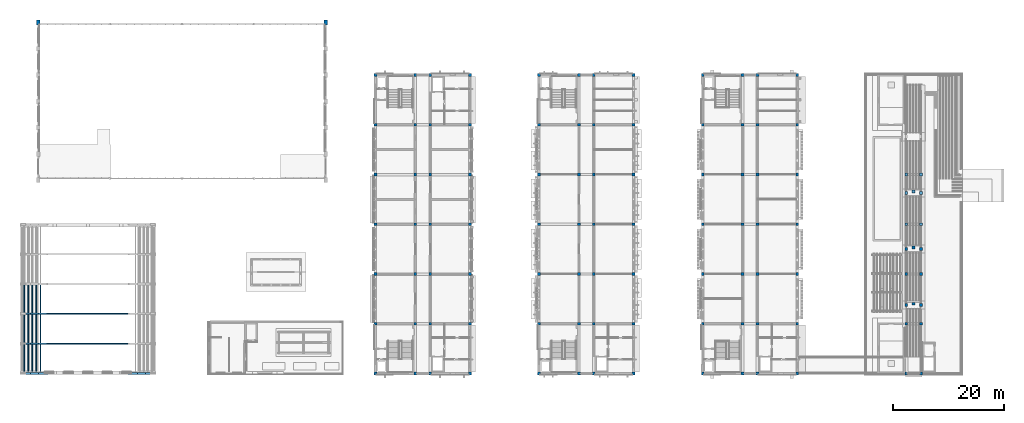
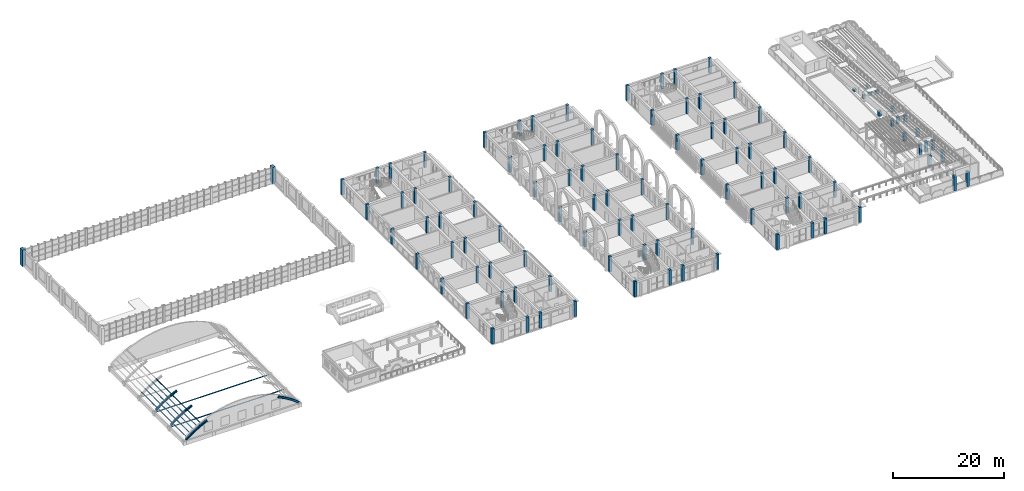
# One storey, part 4 of 70: 105 columns, 29 members.
"""IFC4 building model written with IfcOpenShell, lengths in metres."""

from ifc_helpers import new_model, si_unit, direction, frame, origin, origin_2d, place, context, subcontext, project, spatial, rectangle, hollow_rectangle, hollow_circle, i_section, extrude, material, material_profile, profile_set, type_object, element, save


model = new_model("IFC4")

# Units and contexts
model_context = context("Model", 3, precision=1e-05, world=origin(), true_north=direction((0.0, 1.0)))
body_context = subcontext(model_context, "Body", "Model", "MODEL_VIEW")
ifc_project = project(units=[si_unit("LENGTHUNIT", "METRE"), si_unit("AREAUNIT", "SQUARE_METRE"), si_unit("VOLUMEUNIT", "CUBIC_METRE"), si_unit("PLANEANGLEUNIT", "RADIAN"), si_unit("MASSUNIT", "GRAM", prefix="KILO")], contexts=[model_context])

# Site, building, storey
site_placement = place(None, origin())
site = spatial("IfcSite", under=ifc_project, at=site_placement, CompositionType="ELEMENT")
building_placement = place(site_placement, origin())
building = spatial("IfcBuilding", under=site, at=building_placement, Name="Elbe Cascade School", CompositionType="ELEMENT")
storey_placement = place(building_placement, frame((0.0, 0.0, 8.10009765625)))
storey = spatial("IfcBuildingStorey", under=building, at=storey_placement, Name="L02", CompositionType="ELEMENT", Elevation=8.10009765625)

# Columns
ifc_material_1 = material(Name="Concrete C30/37", Category="concrete")
ifc_material_profile_1 = material_profile(ifc_material_1, rectangle(XDim=0.60009765625, YDim=0.89990234375, at=origin_2d()), Name="RC 600x900")
ifc_profile_set_1 = profile_set([ifc_material_profile_1], Name="Concrete C30/37")
column_type_1 = type_object("IfcColumnType", Name="Hall pilaster RC 600x900", PredefinedType="COLUMN", material=ifc_profile_set_1)
for number, where, z_axis, x_axis, name in (
    (1, (8.0, 69.5, 0.0), (0.0, 0.0, 1.0), (1.0, 0.0, 0.0), "Pilaster W7"),
    (2, (60.0, 69.5, 0.0), (0.0, 0.0, 1.0), (1.0, 0.0, 0.0), "Pilaster E7"),
):
    element("IfcColumn", number, at=place(storey_placement, frame(where, z_axis=z_axis, x_axis=x_axis)), inside=storey, type_object=column_type_1, Name=name, PredefinedType="COLUMN", context=body_context, shape_type="SweptSolid", body=[
        extrude(rectangle(XDim=0.60009765625, YDim=0.89990234375, at=origin_2d()), origin(), (0.0, 0.0, 1.0), 3.599853515625),
    ])
ifc_material_2 = material(Name="Concrete C30/37", Category="concrete")
ifc_material_profile_2 = material_profile(ifc_material_2, rectangle(XDim=0.5, YDim=0.5, at=origin_2d()), Name="RC 500x500")
ifc_profile_set_2 = profile_set([ifc_material_profile_2], Name="Concrete C30/37")
column_type_2 = type_object("IfcColumnType", Name="RC 500x500 column", PredefinedType="COLUMN", material=ifc_profile_set_2)
for number, where, z_axis, x_axis, name in (
    (3, (69.0, 6.0, 0.0), (0.0, 0.0, 1.0), (1.0, 0.0, 0.0), "RC 500x500 column C1"),
    (4, (69.0, 15.0, 0.0), (0.0, 0.0, 1.0), (1.0, 0.0, 0.0), "RC 500x500 column C1"),
    (5, (69.0, 24.0, 0.0), (0.0, 0.0, 1.0), (1.0, 0.0, 0.0), "RC 500x500 column C1"),
    (6, (69.0, 33.0, 0.0), (0.0, 0.0, 1.0), (1.0, 0.0, 0.0), "RC 500x500 column C1"),
    (7, (69.0, 42.0, 0.0), (0.0, 0.0, 1.0), (1.0, 0.0, 0.0), "RC 500x500 column C1"),
    (8, (69.0, 51.0, 0.0), (0.0, 0.0, 1.0), (1.0, 0.0, 0.0), "RC 500x500 column C1"),
    (9, (69.0, 60.0, 0.0), (0.0, 0.0, 1.0), (1.0, 0.0, 0.0), "RC 500x500 column C1"),
    (10, (76.199951171875, 6.0, 0.0), (0.0, 0.0, 1.0), (1.0, 0.0, 0.0), "RC 500x500 column C1"),
    (11, (76.199951171875, 15.0, 0.0), (0.0, 0.0, 1.0), (1.0, 0.0, 0.0), "RC 500x500 column C1"),
    (12, (76.199951171875, 24.0, 0.0), (0.0, 0.0, 1.0), (1.0, 0.0, 0.0), "RC 500x500 column C1"),
    (13, (76.199951171875, 33.0, 0.0), (0.0, 0.0, 1.0), (1.0, 0.0, 0.0), "RC 500x500 column C1"),
    (14, (76.199951171875, 42.0, 0.0), (0.0, 0.0, 1.0), (1.0, 0.0, 0.0), "RC 500x500 column C1"),
    (15, (76.199951171875, 51.0, 0.0), (0.0, 0.0, 1.0), (1.0, 0.0, 0.0), "RC 500x500 column C1"),
    (16, (76.199951171875, 60.0, 0.0), (0.0, 0.0, 1.0), (1.0, 0.0, 0.0), "RC 500x500 column C1"),
    (17, (78.89990234375, 6.0, 0.0), (0.0, 0.0, 1.0), (1.0, 0.0, 0.0), "RC 500x500 column C1"),
    (18, (78.89990234375, 15.0, 0.0), (0.0, 0.0, 1.0), (1.0, 0.0, 0.0), "RC 500x500 column C1"),
    (19, (78.89990234375, 24.0, 0.0), (0.0, 0.0, 1.0), (1.0, 0.0, 0.0), "RC 500x500 column C1"),
    (20, (78.89990234375, 33.0, 0.0), (0.0, 0.0, 1.0), (1.0, 0.0, 0.0), "RC 500x500 column C1"),
    (21, (78.89990234375, 42.0, 0.0), (0.0, 0.0, 1.0), (1.0, 0.0, 0.0), "RC 500x500 column C1"),
    (22, (78.89990234375, 51.0, 0.0), (0.0, 0.0, 1.0), (1.0, 0.0, 0.0), "RC 500x500 column C1"),
    (23, (78.89990234375, 60.0, 0.0), (0.0, 0.0, 1.0), (1.0, 0.0, 0.0), "RC 500x500 column C1"),
    (24, (86.10009765625, 6.0, 0.0), (0.0, 0.0, 1.0), (1.0, 0.0, 0.0), "RC 500x500 column C1"),
    (25, (86.10009765625, 15.0, 0.0), (0.0, 0.0, 1.0), (1.0, 0.0, 0.0), "RC 500x500 column C1"),
    (26, (86.10009765625, 24.0, 0.0), (0.0, 0.0, 1.0), (1.0, 0.0, 0.0), "RC 500x500 column C1"),
    (27, (86.10009765625, 33.0, 0.0), (0.0, 0.0, 1.0), (1.0, 0.0, 0.0), "RC 500x500 column C1"),
    (28, (86.10009765625, 42.0, 0.0), (0.0, 0.0, 1.0), (1.0, 0.0, 0.0), "RC 500x500 column C1"),
    (29, (86.10009765625, 51.0, 0.0), (0.0, 0.0, 1.0), (1.0, 0.0, 0.0), "RC 500x500 column C1"),
    (30, (86.10009765625, 60.0, 0.0), (0.0, 0.0, 1.0), (1.0, 0.0, 0.0), "RC 500x500 column C1"),
    (31, (98.60009765625, 6.0, 0.0), (0.0, 0.0, 1.0), (1.0, 0.0, 0.0), "RC 500x500 column C1"),
    (32, (98.60009765625, 15.0, 0.0), (0.0, 0.0, 1.0), (1.0, 0.0, 0.0), "RC 500x500 column C1"),
    (33, (98.60009765625, 24.0, 0.0), (0.0, 0.0, 1.0), (1.0, 0.0, 0.0), "RC 500x500 column C1"),
    (34, (98.60009765625, 33.0, 0.0), (0.0, 0.0, 1.0), (1.0, 0.0, 0.0), "RC 500x500 column C1"),
    (35, (98.60009765625, 42.0, 0.0), (0.0, 0.0, 1.0), (1.0, 0.0, 0.0), "RC 500x500 column C1"),
    (36, (98.60009765625, 51.0, 0.0), (0.0, 0.0, 1.0), (1.0, 0.0, 0.0), "RC 500x500 column C1"),
    (37, (98.60009765625, 60.0, 0.0), (0.0, 0.0, 1.0), (1.0, 0.0, 0.0), "RC 500x500 column C1"),
    (38, (105.800048828125, 6.0, 0.0), (0.0, 0.0, 1.0), (1.0, 0.0, 0.0), "RC 500x500 column C1"),
    (39, (105.800048828125, 15.0, 0.0), (0.0, 0.0, 1.0), (1.0, 0.0, 0.0), "RC 500x500 column C1"),
    (40, (105.800048828125, 24.0, 0.0), (0.0, 0.0, 1.0), (1.0, 0.0, 0.0), "RC 500x500 column C1"),
    (41, (105.800048828125, 33.0, 0.0), (0.0, 0.0, 1.0), (1.0, 0.0, 0.0), "RC 500x500 column C1"),
    (42, (105.800048828125, 42.0, 0.0), (0.0, 0.0, 1.0), (1.0, 0.0, 0.0), "RC 500x500 column C1"),
    (43, (105.800048828125, 51.0, 0.0), (0.0, 0.0, 1.0), (1.0, 0.0, 0.0), "RC 500x500 column C1"),
    (44, (105.800048828125, 60.0, 0.0), (0.0, 0.0, 1.0), (1.0, 0.0, 0.0), "RC 500x500 column C1"),
    (45, (108.5, 6.0, 0.0), (0.0, 0.0, 1.0), (1.0, 0.0, 0.0), "RC 500x500 column C1"),
    (46, (108.5, 15.0, 0.0), (0.0, 0.0, 1.0), (1.0, 0.0, 0.0), "RC 500x500 column C1"),
    (47, (108.5, 24.0, 0.0), (0.0, 0.0, 1.0), (1.0, 0.0, 0.0), "RC 500x500 column C1"),
    (48, (108.5, 33.0, 0.0), (0.0, 0.0, 1.0), (1.0, 0.0, 0.0), "RC 500x500 column C1"),
    (49, (108.5, 42.0, 0.0), (0.0, 0.0, 1.0), (1.0, 0.0, 0.0), "RC 500x500 column C1"),
    (50, (108.5, 51.0, 0.0), (0.0, 0.0, 1.0), (1.0, 0.0, 0.0), "RC 500x500 column C1"),
    (51, (108.5, 60.0, 0.0), (0.0, 0.0, 1.0), (1.0, 0.0, 0.0), "RC 500x500 column C1"),
    (52, (115.699951171875, 6.0, 0.0), (0.0, 0.0, 1.0), (1.0, 0.0, 0.0), "RC 500x500 column C1"),
    (53, (115.699951171875, 15.0, 0.0), (0.0, 0.0, 1.0), (1.0, 0.0, 0.0), "RC 500x500 column C1"),
    (54, (115.699951171875, 24.0, 0.0), (0.0, 0.0, 1.0), (1.0, 0.0, 0.0), "RC 500x500 column C1"),
    (55, (115.699951171875, 33.0, 0.0), (0.0, 0.0, 1.0), (1.0, 0.0, 0.0), "RC 500x500 column C1"),
    (56, (115.699951171875, 42.0, 0.0), (0.0, 0.0, 1.0), (1.0, 0.0, 0.0), "RC 500x500 column C1"),
    (57, (115.699951171875, 51.0, 0.0), (0.0, 0.0, 1.0), (1.0, 0.0, 0.0), "RC 500x500 column C1"),
    (58, (115.699951171875, 60.0, 0.0), (0.0, 0.0, 1.0), (1.0, 0.0, 0.0), "RC 500x500 column C1"),
):
    element("IfcColumn", number, at=place(storey_placement, frame(where, z_axis=z_axis, x_axis=x_axis)), inside=storey, type_object=column_type_2, Name=name, PredefinedType="COLUMN", context=body_context, shape_type="SweptSolid", body=[
        extrude(rectangle(XDim=0.5, YDim=0.5, at=origin_2d()), origin(), (0.0, 0.0, 1.0), 3.349853515625),
    ])
for number, where, z_axis, x_axis, name in (
    (59, (128.199951171875, 6.0, 0.0), (0.0, 0.0, 1.0), (1.0, 0.0, 0.0), "RC 500x500 column C1"),
    (60, (128.199951171875, 15.0, 0.0), (0.0, 0.0, 1.0), (1.0, 0.0, 0.0), "RC 500x500 column C1"),
    (61, (128.199951171875, 24.0, 0.0), (0.0, 0.0, 1.0), (1.0, 0.0, 0.0), "RC 500x500 column C1"),
    (62, (128.199951171875, 33.0, 0.0), (0.0, 0.0, 1.0), (1.0, 0.0, 0.0), "RC 500x500 column C1"),
    (63, (128.199951171875, 42.0, 0.0), (0.0, 0.0, 1.0), (1.0, 0.0, 0.0), "RC 500x500 column C1"),
    (64, (128.199951171875, 51.0, 0.0), (0.0, 0.0, 1.0), (1.0, 0.0, 0.0), "RC 500x500 column C1"),
    (65, (128.199951171875, 60.0, 0.0), (0.0, 0.0, 1.0), (1.0, 0.0, 0.0), "RC 500x500 column C1"),
    (66, (135.39990234375, 6.0, 0.0), (0.0, 0.0, 1.0), (1.0, 0.0, 0.0), "RC 500x500 column C1"),
    (67, (135.39990234375, 15.0, 0.0), (0.0, 0.0, 1.0), (1.0, 0.0, 0.0), "RC 500x500 column C1"),
    (68, (135.39990234375, 24.0, 0.0), (0.0, 0.0, 1.0), (1.0, 0.0, 0.0), "RC 500x500 column C1"),
    (69, (135.39990234375, 33.0, 0.0), (0.0, 0.0, 1.0), (1.0, 0.0, 0.0), "RC 500x500 column C1"),
    (70, (135.39990234375, 42.0, 0.0), (0.0, 0.0, 1.0), (1.0, 0.0, 0.0), "RC 500x500 column C1"),
    (71, (135.39990234375, 51.0, 0.0), (0.0, 0.0, 1.0), (1.0, 0.0, 0.0), "RC 500x500 column C1"),
    (72, (135.39990234375, 60.0, 0.0), (0.0, 0.0, 1.0), (1.0, 0.0, 0.0), "RC 500x500 column C1"),
    (73, (138.10009765625, 6.0, 0.0), (0.0, 0.0, 1.0), (1.0, 0.0, 0.0), "RC 500x500 column C1"),
    (74, (138.10009765625, 15.0, 0.0), (0.0, 0.0, 1.0), (1.0, 0.0, 0.0), "RC 500x500 column C1"),
    (75, (138.10009765625, 24.0, 0.0), (0.0, 0.0, 1.0), (1.0, 0.0, 0.0), "RC 500x500 column C1"),
    (76, (138.10009765625, 33.0, 0.0), (0.0, 0.0, 1.0), (1.0, 0.0, 0.0), "RC 500x500 column C1"),
    (77, (138.10009765625, 42.0, 0.0), (0.0, 0.0, 1.0), (1.0, 0.0, 0.0), "RC 500x500 column C1"),
    (78, (138.10009765625, 51.0, 0.0), (0.0, 0.0, 1.0), (1.0, 0.0, 0.0), "RC 500x500 column C1"),
    (79, (138.10009765625, 60.0, 0.0), (0.0, 0.0, 1.0), (1.0, 0.0, 0.0), "RC 500x500 column C1"),
    (80, (145.300048828125, 6.0, 0.0), (0.0, 0.0, 1.0), (1.0, 0.0, 0.0), "RC 500x500 column C1"),
    (81, (145.300048828125, 15.0, 0.0), (0.0, 0.0, 1.0), (1.0, 0.0, 0.0), "RC 500x500 column C1"),
    (82, (145.300048828125, 24.0, 0.0), (0.0, 0.0, 1.0), (1.0, 0.0, 0.0), "RC 500x500 column C1"),
    (83, (145.300048828125, 33.0, 0.0), (0.0, 0.0, 1.0), (1.0, 0.0, 0.0), "RC 500x500 column C1"),
    (84, (145.300048828125, 42.0, 0.0), (0.0, 0.0, 1.0), (1.0, 0.0, 0.0), "RC 500x500 column C1"),
    (85, (145.300048828125, 51.0, 0.0), (0.0, 0.0, 1.0), (1.0, 0.0, 0.0), "RC 500x500 column C1"),
    (86, (145.300048828125, 60.0, 0.0), (0.0, 0.0, 1.0), (1.0, 0.0, 0.0), "RC 500x500 column C1"),
):
    element("IfcColumn", number, at=place(storey_placement, frame(where, z_axis=z_axis, x_axis=x_axis)), inside=storey, type_object=column_type_2, Name=name, PredefinedType="COLUMN", context=body_context, shape_type="SweptSolid", body=[
        extrude(rectangle(XDim=0.5, YDim=0.5, at=origin_2d()), origin(), (0.0, 0.0, 1.0), 3.2998046875),
    ])
for number, where, z_axis, x_axis, name in (
    (87, (165.0, 6.0, 0.0), (0.0, 0.0, 1.0), (1.0, 0.0, 0.0), "RC 500x500 column C1"),
    (88, (167.699951171875, 6.0, 0.0), (0.0, 0.0, 1.0), (1.0, 0.0, 0.0), "RC 500x500 column C1"),
):
    element("IfcColumn", number, at=place(storey_placement, frame(where, z_axis=z_axis, x_axis=x_axis)), inside=storey, type_object=column_type_2, Name=name, PredefinedType="COLUMN", context=body_context, shape_type="SweptSolid", body=[
        extrude(rectangle(XDim=0.5, YDim=0.5, at=origin_2d()), origin(), (0.0, 0.0, 1.0), 3.35986328125),
    ])
for number, where, z_axis, x_axis, name in (
    (89, (165.0, 15.0, 0.0), (0.0, 0.0, 1.0), (1.0, 0.0, 0.0), "RC 500x500 column C1"),
    (90, (167.699951171875, 15.0, 0.0), (0.0, 0.0, 1.0), (1.0, 0.0, 0.0), "RC 500x500 column C1"),
):
    element("IfcColumn", number, at=place(storey_placement, frame(where, z_axis=z_axis, x_axis=x_axis)), inside=storey, type_object=column_type_2, Name=name, PredefinedType="COLUMN", context=body_context, shape_type="SweptSolid", body=[
        extrude(rectangle(XDim=0.5, YDim=0.5, at=origin_2d()), origin(), (0.0, 0.0, 1.0), 2.409912109375),
    ])
for number, where, z_axis, x_axis, name in (
    (91, (165.0, 24.0, 0.0), (0.0, 0.0, 1.0), (1.0, 0.0, 0.0), "RC 500x500 column C1"),
    (92, (167.699951171875, 24.0, 0.0), (0.0, 0.0, 1.0), (1.0, 0.0, 0.0), "RC 500x500 column C1"),
):
    element("IfcColumn", number, at=place(storey_placement, frame(where, z_axis=z_axis, x_axis=x_axis)), inside=storey, type_object=column_type_2, Name=name, PredefinedType="COLUMN", context=body_context, shape_type="SweptSolid", body=[
        extrude(rectangle(XDim=0.5, YDim=0.5, at=origin_2d()), origin(), (0.0, 0.0, 1.0), 1.784912109375),
    ])
for number, where, z_axis, x_axis, name in (
    (93, (165.0, 33.0, 0.0), (0.0, 0.0, 1.0), (1.0, 0.0, 0.0), "RC 500x500 column C1"),
    (94, (167.699951171875, 33.0, 0.0), (0.0, 0.0, 1.0), (1.0, 0.0, 0.0), "RC 500x500 column C1"),
):
    element("IfcColumn", number, at=place(storey_placement, frame(where, z_axis=z_axis, x_axis=x_axis)), inside=storey, type_object=column_type_2, Name=name, PredefinedType="COLUMN", context=body_context, shape_type="SweptSolid", body=[
        extrude(rectangle(XDim=0.5, YDim=0.5, at=origin_2d()), origin(), (0.0, 0.0, 1.0), 1.159912109375),
    ])
for number, where, z_axis, x_axis, name in (
    (95, (165.0, 42.0, 0.0), (0.0, 0.0, 1.0), (1.0, 0.0, 0.0), "RC 500x500 column C1"),
    (96, (167.699951171875, 42.0, 0.0), (0.0, 0.0, 1.0), (1.0, 0.0, 0.0), "RC 500x500 column C1"),
):
    element("IfcColumn", number, at=place(storey_placement, frame(where, z_axis=z_axis, x_axis=x_axis)), inside=storey, type_object=column_type_2, Name=name, PredefinedType="COLUMN", context=body_context, shape_type="SweptSolid", body=[
        extrude(rectangle(XDim=0.5, YDim=0.5, at=origin_2d()), origin(), (0.0, 0.0, 1.0), 0.534912109375),
    ])
for number, where, z_axis, x_axis, name in (
    (97, (165.0, 18.389892578125, 0.449951171875), (0.0, 0.0, 1.0), (1.0, 0.0, 0.0), "RC 500x500 column C1"),
    (98, (167.699951171875, 18.389892578125, 0.449951171875), (0.0, 0.0, 1.0), (1.0, 0.0, 0.0), "RC 500x500 column C1"),
    (99, (166.35009765625, 18.639892578125, 0.449951171875), (0.0, 0.0, 1.0), (1.0, 0.0, 0.0), "RC 500x500 column C1"),
):
    element("IfcColumn", number, at=place(storey_placement, frame(where, z_axis=z_axis, x_axis=x_axis)), inside=storey, type_object=column_type_2, Name=name, PredefinedType="COLUMN", context=body_context, shape_type="SweptSolid", body=[
        extrude(rectangle(XDim=0.5, YDim=0.5, at=origin_2d()), origin(), (0.0, 0.0, 1.0), 2.18994140625),
    ])
for number, where, z_axis, x_axis, name in (
    (100, (165.0, 28.530029296875, 0.449951171875), (0.0, 0.0, 1.0), (1.0, 0.0, 0.0), "RC 500x500 column C1"),
    (101, (167.699951171875, 28.530029296875, 0.449951171875), (0.0, 0.0, 1.0), (1.0, 0.0, 0.0), "RC 500x500 column C1"),
    (102, (166.35009765625, 28.780029296875, 0.449951171875), (0.0, 0.0, 1.0), (1.0, 0.0, 0.0), "RC 500x500 column C1"),
):
    element("IfcColumn", number, at=place(storey_placement, frame(where, z_axis=z_axis, x_axis=x_axis)), inside=storey, type_object=column_type_2, Name=name, PredefinedType="COLUMN", context=body_context, shape_type="SweptSolid", body=[
        extrude(rectangle(XDim=0.5, YDim=0.5, at=origin_2d()), origin(), (0.0, 0.0, 1.0), 1.469970703125),
    ])
for number, where, z_axis, x_axis, name in (
    (103, (165.0, 38.669921875, 0.449951171875), (0.0, 0.0, 1.0), (1.0, 0.0, 0.0), "RC 500x500 column C1"),
    (104, (167.699951171875, 38.669921875, 0.449951171875), (0.0, 0.0, 1.0), (1.0, 0.0, 0.0), "RC 500x500 column C1"),
    (105, (166.35009765625, 38.919921875, 0.449951171875), (0.0, 0.0, 1.0), (1.0, 0.0, 0.0), "RC 500x500 column C1"),
):
    element("IfcColumn", number, at=place(storey_placement, frame(where, z_axis=z_axis, x_axis=x_axis)), inside=storey, type_object=column_type_2, Name=name, PredefinedType="COLUMN", context=body_context, shape_type="SweptSolid", body=[
        extrude(rectangle(XDim=0.5, YDim=0.5, at=origin_2d()), origin(), (0.0, 0.0, 1.0), 0.75),
    ])

# Members
ifc_material_3 = material(Name="Steel S355J2H", Category="steel")
ifc_material_profile_3 = material_profile(ifc_material_3, hollow_rectangle(XDim=0.10009765625, YDim=0.14990234375, WallThickness=0.008056640625, InnerFilletRadius=0.008056640625, OuterFilletRadius=0.011962890625, at=origin_2d()), Name="RHS 150x100x8")
ifc_profile_set_3 = profile_set([ifc_material_profile_3], Name="Steel S355J2H")
member_type_1 = type_object("IfcMemberType", Name="Assembly hall vault purlin RHS 150x100x8", PredefinedType="PURLIN", material=ifc_profile_set_3)
member_1_placement = place(storey_placement, frame((5.43359375, 6.449951171875, 1.59765625), z_axis=(0.0, 1.0, 0.0), x_axis=(-0.795995663867, 0.0, -0.605302323723)))
element("IfcMember", 106, at=member_1_placement, inside=storey, type_object=member_type_1, Name="Assembly hall vault purlin RHS 150x100x8 M12", PredefinedType="PURLIN", context=body_context, shape_type="SweptSolid", body=[
    extrude(hollow_rectangle(XDim=0.10009765625, YDim=0.14990234375, WallThickness=0.008056640625, InnerFilletRadius=0.008056640625, OuterFilletRadius=0.011962890625, at=origin_2d()), origin(), (0.0, 0.0, 1.0), 4.949951171875),
])
member_2_placement = place(storey_placement, frame((5.43359375, 11.39990234375, 1.59765625), z_axis=(0.0, 1.0, 0.0), x_axis=(-0.795995663867, 0.0, -0.605302323723)))
element("IfcMember", 107, at=member_2_placement, inside=storey, type_object=member_type_1, Name="Assembly hall vault purlin RHS 150x100x8 M12", PredefinedType="PURLIN", context=body_context, shape_type="SweptSolid", body=[
    extrude(hollow_rectangle(XDim=0.10009765625, YDim=0.14990234375, WallThickness=0.008056640625, InnerFilletRadius=0.008056640625, OuterFilletRadius=0.011962890625, at=origin_2d()), origin(), (0.0, 0.0, 1.0), 5.400146484375),
])
member_3_placement = place(storey_placement, frame((5.43359375, 16.800048828125, 1.59765625), z_axis=(0.0, 1.0, 0.0), x_axis=(-0.795995663867, 0.0, -0.605302323723)))
element("IfcMember", 108, at=member_3_placement, inside=storey, type_object=member_type_1, Name="Assembly hall vault purlin RHS 150x100x8 M12", PredefinedType="PURLIN", context=body_context, shape_type="SweptSolid", body=[
    extrude(hollow_rectangle(XDim=0.10009765625, YDim=0.14990234375, WallThickness=0.008056640625, InnerFilletRadius=0.008056640625, OuterFilletRadius=0.011962890625, at=origin_2d()), origin(), (0.0, 0.0, 1.0), 5.39990234375),
])
member_4_placement = place(storey_placement, frame((6.1689453125, 6.449951171875, 2.156982421875), z_axis=(0.0, 1.0, 0.0), x_axis=(-0.795995663867, 0.0, -0.605302323723)))
element("IfcMember", 109, at=member_4_placement, inside=storey, type_object=member_type_1, Name="Assembly hall vault purlin RHS 150x100x8 M12", PredefinedType="PURLIN", context=body_context, shape_type="SweptSolid", body=[
    extrude(hollow_rectangle(XDim=0.10009765625, YDim=0.14990234375, WallThickness=0.008056640625, InnerFilletRadius=0.008056640625, OuterFilletRadius=0.011962890625, at=origin_2d()), origin(), (0.0, 0.0, 1.0), 4.949951171875),
])
member_5_placement = place(storey_placement, frame((6.1689453125, 11.39990234375, 2.156982421875), z_axis=(0.0, 1.0, 0.0), x_axis=(-0.795995663867, 0.0, -0.605302323723)))
element("IfcMember", 110, at=member_5_placement, inside=storey, type_object=member_type_1, Name="Assembly hall vault purlin RHS 150x100x8 M12", PredefinedType="PURLIN", context=body_context, shape_type="SweptSolid", body=[
    extrude(hollow_rectangle(XDim=0.10009765625, YDim=0.14990234375, WallThickness=0.008056640625, InnerFilletRadius=0.008056640625, OuterFilletRadius=0.011962890625, at=origin_2d()), origin(), (0.0, 0.0, 1.0), 5.400146484375),
])
member_6_placement = place(storey_placement, frame((6.1689453125, 16.800048828125, 2.156982421875), z_axis=(0.0, 1.0, 0.0), x_axis=(-0.795995663867, 0.0, -0.605302323723)))
element("IfcMember", 111, at=member_6_placement, inside=storey, type_object=member_type_1, Name="Assembly hall vault purlin RHS 150x100x8 M12", PredefinedType="PURLIN", context=body_context, shape_type="SweptSolid", body=[
    extrude(hollow_rectangle(XDim=0.10009765625, YDim=0.14990234375, WallThickness=0.008056640625, InnerFilletRadius=0.008056640625, OuterFilletRadius=0.011962890625, at=origin_2d()), origin(), (0.0, 0.0, 1.0), 5.39990234375),
])
member_7_placement = place(storey_placement, frame((6.9267578125, 6.449951171875, 2.678466796875), z_axis=(0.0, 1.0, 0.0), x_axis=(-0.851433237023, 0.0, -0.524463004313)))
element("IfcMember", 112, at=member_7_placement, inside=storey, type_object=member_type_1, Name="Assembly hall vault purlin RHS 150x100x8 M12", PredefinedType="PURLIN", context=body_context, shape_type="SweptSolid", body=[
    extrude(hollow_rectangle(XDim=0.10009765625, YDim=0.14990234375, WallThickness=0.008056640625, InnerFilletRadius=0.008056640625, OuterFilletRadius=0.011962890625, at=origin_2d()), origin(), (0.0, 0.0, 1.0), 4.949951171875),
])
member_8_placement = place(storey_placement, frame((6.9267578125, 11.39990234375, 2.678466796875), z_axis=(0.0, 1.0, 0.0), x_axis=(-0.851433237023, 0.0, -0.524463004313)))
element("IfcMember", 113, at=member_8_placement, inside=storey, type_object=member_type_1, Name="Assembly hall vault purlin RHS 150x100x8 M12", PredefinedType="PURLIN", context=body_context, shape_type="SweptSolid", body=[
    extrude(hollow_rectangle(XDim=0.10009765625, YDim=0.14990234375, WallThickness=0.008056640625, InnerFilletRadius=0.008056640625, OuterFilletRadius=0.011962890625, at=origin_2d()), origin(), (0.0, 0.0, 1.0), 5.400146484375),
])
member_9_placement = place(storey_placement, frame((6.9267578125, 16.800048828125, 2.678466796875), z_axis=(0.0, 1.0, 0.0), x_axis=(-0.851433237023, 0.0, -0.524463004313)))
element("IfcMember", 114, at=member_9_placement, inside=storey, type_object=member_type_1, Name="Assembly hall vault purlin RHS 150x100x8 M12", PredefinedType="PURLIN", context=body_context, shape_type="SweptSolid", body=[
    extrude(hollow_rectangle(XDim=0.10009765625, YDim=0.14990234375, WallThickness=0.008056640625, InnerFilletRadius=0.008056640625, OuterFilletRadius=0.011962890625, at=origin_2d()), origin(), (0.0, 0.0, 1.0), 5.39990234375),
])
member_10_placement = place(storey_placement, frame((7.662109375, 6.449951171875, 3.13134765625), z_axis=(0.0, 1.0, 0.0), x_axis=(-0.851433237023, 0.0, -0.524463004313)))
element("IfcMember", 115, at=member_10_placement, inside=storey, type_object=member_type_1, Name="Assembly hall vault purlin RHS 150x100x8 M12", PredefinedType="PURLIN", context=body_context, shape_type="SweptSolid", body=[
    extrude(hollow_rectangle(XDim=0.10009765625, YDim=0.14990234375, WallThickness=0.008056640625, InnerFilletRadius=0.008056640625, OuterFilletRadius=0.011962890625, at=origin_2d()), origin(), (0.0, 0.0, 1.0), 4.949951171875),
])
member_11_placement = place(storey_placement, frame((7.662109375, 11.39990234375, 3.13134765625), z_axis=(0.0, 1.0, 0.0), x_axis=(-0.851433237023, 0.0, -0.524463004313)))
element("IfcMember", 116, at=member_11_placement, inside=storey, type_object=member_type_1, Name="Assembly hall vault purlin RHS 150x100x8 M12", PredefinedType="PURLIN", context=body_context, shape_type="SweptSolid", body=[
    extrude(hollow_rectangle(XDim=0.10009765625, YDim=0.14990234375, WallThickness=0.008056640625, InnerFilletRadius=0.008056640625, OuterFilletRadius=0.011962890625, at=origin_2d()), origin(), (0.0, 0.0, 1.0), 5.400146484375),
])
member_12_placement = place(storey_placement, frame((7.662109375, 16.800048828125, 3.13134765625), z_axis=(0.0, 1.0, 0.0), x_axis=(-0.851433237023, 0.0, -0.524463004313)))
element("IfcMember", 117, at=member_12_placement, inside=storey, type_object=member_type_1, Name="Assembly hall vault purlin RHS 150x100x8 M12", PredefinedType="PURLIN", context=body_context, shape_type="SweptSolid", body=[
    extrude(hollow_rectangle(XDim=0.10009765625, YDim=0.14990234375, WallThickness=0.008056640625, InnerFilletRadius=0.008056640625, OuterFilletRadius=0.011962890625, at=origin_2d()), origin(), (0.0, 0.0, 1.0), 5.39990234375),
])
member_13_placement = place(storey_placement, frame((8.419921875, 6.449951171875, 3.55224609375), z_axis=(0.0, 1.0, 0.0), x_axis=(-0.896138941153, 0.0, -0.443773588837)))
element("IfcMember", 118, at=member_13_placement, inside=storey, type_object=member_type_1, Name="Assembly hall vault purlin RHS 150x100x8 M12", PredefinedType="PURLIN", context=body_context, shape_type="SweptSolid", body=[
    extrude(hollow_rectangle(XDim=0.10009765625, YDim=0.14990234375, WallThickness=0.008056640625, InnerFilletRadius=0.008056640625, OuterFilletRadius=0.011962890625, at=origin_2d()), origin(), (0.0, 0.0, 1.0), 4.949951171875),
])
member_14_placement = place(storey_placement, frame((8.419921875, 11.39990234375, 3.55224609375), z_axis=(0.0, 1.0, 0.0), x_axis=(-0.896138941153, 0.0, -0.443773588837)))
element("IfcMember", 119, at=member_14_placement, inside=storey, type_object=member_type_1, Name="Assembly hall vault purlin RHS 150x100x8 M12", PredefinedType="PURLIN", context=body_context, shape_type="SweptSolid", body=[
    extrude(hollow_rectangle(XDim=0.10009765625, YDim=0.14990234375, WallThickness=0.008056640625, InnerFilletRadius=0.008056640625, OuterFilletRadius=0.011962890625, at=origin_2d()), origin(), (0.0, 0.0, 1.0), 5.400146484375),
])
member_15_placement = place(storey_placement, frame((8.419921875, 16.800048828125, 3.55224609375), z_axis=(0.0, 1.0, 0.0), x_axis=(-0.896138941153, 0.0, -0.443773588837)))
element("IfcMember", 120, at=member_15_placement, inside=storey, type_object=member_type_1, Name="Assembly hall vault purlin RHS 150x100x8 M12", PredefinedType="PURLIN", context=body_context, shape_type="SweptSolid", body=[
    extrude(hollow_rectangle(XDim=0.10009765625, YDim=0.14990234375, WallThickness=0.008056640625, InnerFilletRadius=0.008056640625, OuterFilletRadius=0.011962890625, at=origin_2d()), origin(), (0.0, 0.0, 1.0), 5.39990234375),
])
ifc_material_4 = material(Name="Steel S355J2", Category="steel")
ifc_material_profile_4 = material_profile(ifc_material_4, i_section(OverallWidth=0.300048828125, OverallDepth=0.39990234375, WebThickness=0.013427734375, FlangeThickness=0.02392578125, FilletRadius=0.027099609375, at=origin_2d()), Name="HEB 400")
ifc_profile_set_4 = profile_set([ifc_material_profile_4], Name="Steel S355J2")
member_type_2 = type_object("IfcMemberType", Name="Assembly hall vault rib HEB 400", PredefinedType="RAFTER", material=ifc_profile_set_4)
member_16_placement = place(storey_placement, frame((5.232177734375, 6.0, 1.09912109375), z_axis=(0.795971222687, 0.0, 0.605334463461), x_axis=(0.0, 1.0, 0.0)))
element("IfcMember", 121, at=member_16_placement, inside=storey, type_object=member_type_2, Name="Assembly hall vault rib HEB 400 M11", PredefinedType="RAFTER", context=body_context, shape_type="SweptSolid", body=[
    extrude(i_section(OverallWidth=0.300048828125, OverallDepth=0.39990234375, WebThickness=0.013427734375, FlangeThickness=0.02392578125, FilletRadius=0.027099609375, at=origin_2d()), origin(), (0.0, 0.0, 1.0), 1.847900390625),
])
member_17_placement = place(storey_placement, frame((6.703125, 6.0, 2.2177734375), z_axis=(0.851488466504, 0.0, 0.524373332094), x_axis=(0.0, 1.0, 0.0)))
element("IfcMember", 122, at=member_17_placement, inside=storey, type_object=member_type_2, Name="Assembly hall vault rib HEB 400 M11", PredefinedType="RAFTER", context=body_context, shape_type="SweptSolid", body=[
    extrude(i_section(OverallWidth=0.300048828125, OverallDepth=0.39990234375, WebThickness=0.013427734375, FlangeThickness=0.02392578125, FilletRadius=0.027099609375, at=origin_2d()), origin(), (0.0, 0.0, 1.0), 1.727783203125),
])
for number, where, z_axis, x_axis, name in (
    (123, (8.17431640625, 6.0, 3.123779296875), (0.896087016048, 0.0, 0.443878428932), (0.0, 1.0, 0.0), "Assembly hall vault rib HEB 400 M11"),
    (124, (24.35498046875, 6.0, 3.852294921875), (0.896116318669, 0.0, -0.443819268864), (0.0, 1.0, 0.0), "Assembly hall vault rib HEB 400 M11"),
):
    element("IfcMember", number, at=place(storey_placement, frame(where, z_axis=z_axis, x_axis=x_axis)), inside=storey, type_object=member_type_2, Name=name, PredefinedType="RAFTER", context=body_context, shape_type="SweptSolid", body=[
        extrude(i_section(OverallWidth=0.300048828125, OverallDepth=0.39990234375, WebThickness=0.013427734375, FlangeThickness=0.02392578125, FilletRadius=0.027099609375, at=origin_2d()), origin(), (0.0, 0.0, 1.0), 1.641357421875),
    ])
member_18_placement = place(storey_placement, frame((25.825927734375, 6.0, 3.123779296875), z_axis=(0.851449605929, 0.0, -0.524436429478), x_axis=(0.0, 1.0, 0.0)))
element("IfcMember", 125, at=member_18_placement, inside=storey, type_object=member_type_2, Name="Assembly hall vault rib HEB 400 M11", PredefinedType="RAFTER", context=body_context, shape_type="SweptSolid", body=[
    extrude(i_section(OverallWidth=0.300048828125, OverallDepth=0.39990234375, WebThickness=0.013427734375, FlangeThickness=0.02392578125, FilletRadius=0.027099609375, at=origin_2d()), origin(), (0.0, 0.0, 1.0), 1.7275390625),
])
for number, where, z_axis, x_axis, name in (
    (126, (27.296875, 6.0, 2.2177734375), (0.795971222687, 0.0, -0.605334463461), (0.0, 1.0, 0.0), "Assembly hall vault rib HEB 400 M11"),
    (127, (5.232177734375, 11.39990234375, 1.09912109375), (0.795971222687, 0.0, 0.605334463461), (0.0, 1.0, 0.0), "Assembly hall vault rib HEB 400 M11"),
):
    element("IfcMember", number, at=place(storey_placement, frame(where, z_axis=z_axis, x_axis=x_axis)), inside=storey, type_object=member_type_2, Name=name, PredefinedType="RAFTER", context=body_context, shape_type="SweptSolid", body=[
        extrude(i_section(OverallWidth=0.300048828125, OverallDepth=0.39990234375, WebThickness=0.013427734375, FlangeThickness=0.02392578125, FilletRadius=0.027099609375, at=origin_2d()), origin(), (0.0, 0.0, 1.0), 1.847900390625),
    ])
member_19_placement = place(storey_placement, frame((6.703125, 11.39990234375, 2.2177734375), z_axis=(0.851488466504, 0.0, 0.524373332094), x_axis=(0.0, 1.0, 0.0)))
element("IfcMember", 128, at=member_19_placement, inside=storey, type_object=member_type_2, Name="Assembly hall vault rib HEB 400 M11", PredefinedType="RAFTER", context=body_context, shape_type="SweptSolid", body=[
    extrude(i_section(OverallWidth=0.300048828125, OverallDepth=0.39990234375, WebThickness=0.013427734375, FlangeThickness=0.02392578125, FilletRadius=0.027099609375, at=origin_2d()), origin(), (0.0, 0.0, 1.0), 1.727783203125),
])
member_20_placement = place(storey_placement, frame((8.17431640625, 11.39990234375, 3.123779296875), z_axis=(0.896087016048, 0.0, 0.443878428932), x_axis=(0.0, 1.0, 0.0)))
element("IfcMember", 129, at=member_20_placement, inside=storey, type_object=member_type_2, Name="Assembly hall vault rib HEB 400 M11", PredefinedType="RAFTER", context=body_context, shape_type="SweptSolid", body=[
    extrude(i_section(OverallWidth=0.300048828125, OverallDepth=0.39990234375, WebThickness=0.013427734375, FlangeThickness=0.02392578125, FilletRadius=0.027099609375, at=origin_2d()), origin(), (0.0, 0.0, 1.0), 1.641357421875),
])
member_21_placement = place(storey_placement, frame((5.232177734375, 16.800048828125, 1.09912109375), z_axis=(0.795971222687, 0.0, 0.605334463461), x_axis=(0.0, 1.0, 0.0)))
element("IfcMember", 130, at=member_21_placement, inside=storey, type_object=member_type_2, Name="Assembly hall vault rib HEB 400 M11", PredefinedType="RAFTER", context=body_context, shape_type="SweptSolid", body=[
    extrude(i_section(OverallWidth=0.300048828125, OverallDepth=0.39990234375, WebThickness=0.013427734375, FlangeThickness=0.02392578125, FilletRadius=0.027099609375, at=origin_2d()), origin(), (0.0, 0.0, 1.0), 1.847900390625),
])
member_22_placement = place(storey_placement, frame((6.703125, 16.800048828125, 2.2177734375), z_axis=(0.851488466504, 0.0, 0.524373332094), x_axis=(0.0, 1.0, 0.0)))
element("IfcMember", 131, at=member_22_placement, inside=storey, type_object=member_type_2, Name="Assembly hall vault rib HEB 400 M11", PredefinedType="RAFTER", context=body_context, shape_type="SweptSolid", body=[
    extrude(i_section(OverallWidth=0.300048828125, OverallDepth=0.39990234375, WebThickness=0.013427734375, FlangeThickness=0.02392578125, FilletRadius=0.027099609375, at=origin_2d()), origin(), (0.0, 0.0, 1.0), 1.727783203125),
])
member_23_placement = place(storey_placement, frame((8.17431640625, 16.800048828125, 3.123779296875), z_axis=(0.896087016048, 0.0, 0.443878428932), x_axis=(0.0, 1.0, 0.0)))
element("IfcMember", 132, at=member_23_placement, inside=storey, type_object=member_type_2, Name="Assembly hall vault rib HEB 400 M11", PredefinedType="RAFTER", context=body_context, shape_type="SweptSolid", body=[
    extrude(i_section(OverallWidth=0.300048828125, OverallDepth=0.39990234375, WebThickness=0.013427734375, FlangeThickness=0.02392578125, FilletRadius=0.027099609375, at=origin_2d()), origin(), (0.0, 0.0, 1.0), 1.641357421875),
])
ifc_material_5 = material(Name="Steel S355J2H", Category="steel")
ifc_material_profile_5 = material_profile(ifc_material_5, hollow_circle(Radius=0.109619140625, WallThickness=0.012451171875, at=origin_2d()), Name="CHS 219.1x12.5")
ifc_profile_set_5 = profile_set([ifc_material_profile_5], Name="Steel S355J2H")
member_type_3 = type_object("IfcMemberType", Name="Assembly hall vault tie CHS 219.1x12.5", PredefinedType="USERDEFINED", material=ifc_profile_set_5)
for number, where, z_axis, x_axis, name in (
    (133, (5.300048828125, 11.39990234375, 0.64990234375), (1.0, 0.0, 0.0), (0.0, 1.0, 0.0), "Assembly hall vault tie CHS 219.1x12.5 M13"),
    (134, (5.300048828125, 16.800048828125, 0.64990234375), (1.0, 0.0, 0.0), (0.0, 1.0, 0.0), "Assembly hall vault tie CHS 219.1x12.5 M13"),
):
    element("IfcMember", number, at=place(storey_placement, frame(where, z_axis=z_axis, x_axis=x_axis)), inside=storey, type_object=member_type_3, Name=name, ObjectType="TIE", PredefinedType="USERDEFINED", context=body_context, shape_type="SweptSolid", body=[
        extrude(hollow_circle(Radius=0.109619140625, WallThickness=0.012451171875, at=origin_2d()), origin(), (0.0, 0.0, 1.0), 23.39990234375),
    ])

save(model, "model.ifc")
